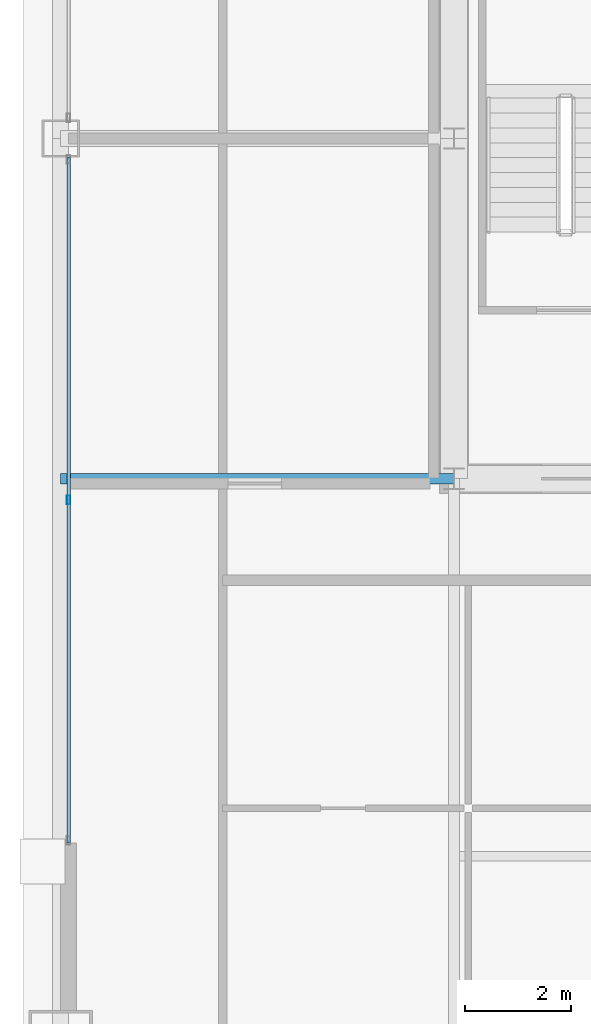
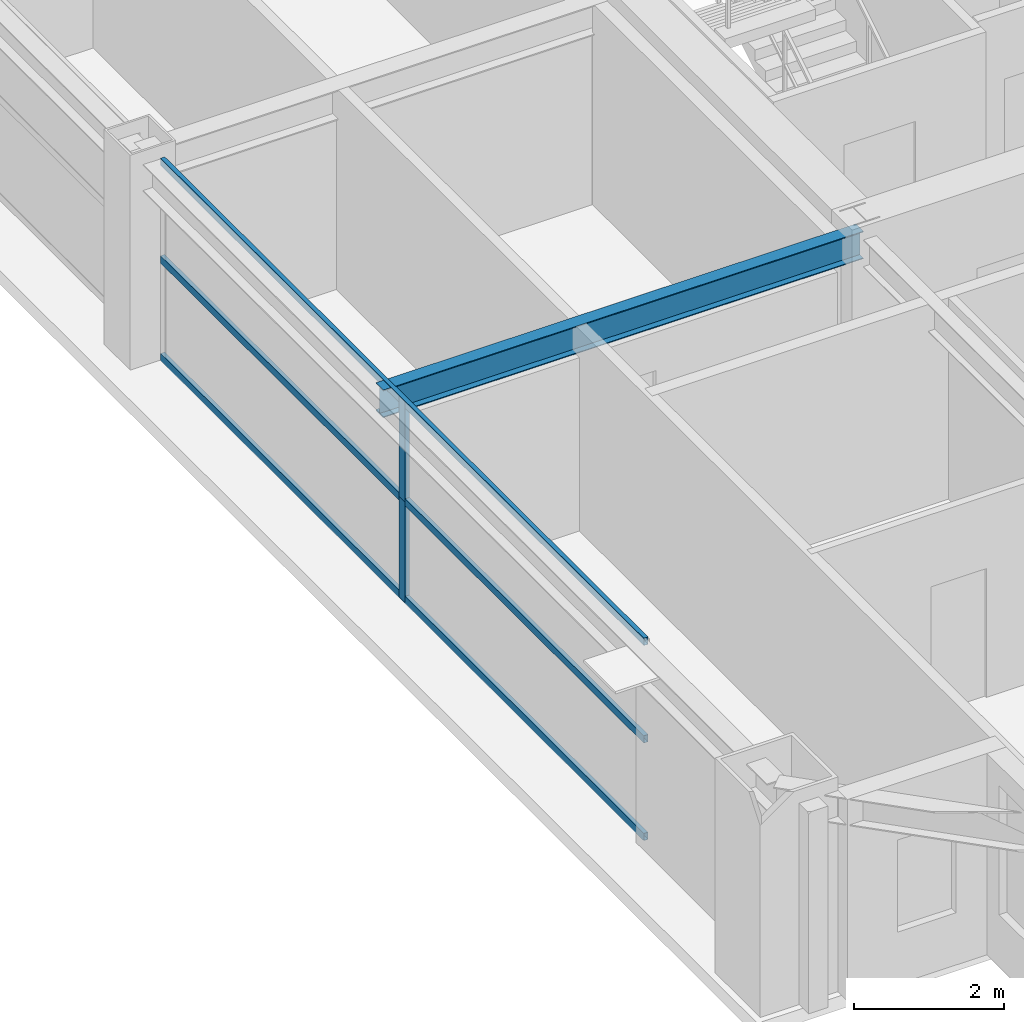
# One storey, part 7 of 36: 5 members, 1 beam, 1 element without a shape of its own.
"""IFC4 building model written with IfcOpenShell, lengths in metres."""

import ifcopenshell
import ifcopenshell.guid

model = None  # the IFC model being written
_history = None  # IfcOwnerHistory: only IFC2X3 demands one
_inside = {}  # id of a spatial element -> (the spatial element, [elements in it])
_under = {}  # id of a project, library or spatial element -> (it, [spatial elements below it])
_declared = {}  # id of a project -> (the project, [libraries it declares])
_typed = {}  # id of a type object -> (the type object, [elements of that type])
_made_of = {}  # id of a material, layer set ... -> (it, [elements and type objects made of it])


def new_model(schema):
    """Start an empty IFC model of exactly this schema.

    Asked for "IFC4X3", IfcOpenShell would pick the latest addendum, in which some entities
    have other attributes; the version numbers below select the first issue.
    IFC2X3 requires an IfcOwnerHistory on every rooted entity: one is made here for all.
    """
    global model, _history
    if schema == "IFC4X3":
        model = ifcopenshell.file(schema_version=(4, 3, 0, 0))
    else:
        model = ifcopenshell.file(schema=schema)
    _inside.clear()
    _under.clear()
    _declared.clear()
    _typed.clear()
    _made_of.clear()
    _history = None
    if model.schema == "IFC2X3":
        org = make("IfcOrganization", Name="unknown")
        user = make(
            "IfcPersonAndOrganization",
            ThePerson=make("IfcPerson", FamilyName="unknown"),
            TheOrganization=org,
        )
        app = make(
            "IfcApplication",
            ApplicationDeveloper=org,
            Version="unknown",
            ApplicationFullName="unknown",
            ApplicationIdentifier="unknown",
        )
        _history = make(
            "IfcOwnerHistory",
            OwningUser=user,
            OwningApplication=app,
            ChangeAction="ADDED",
            CreationDate=0,
        )
    return model


def make(cls, **values):
    """One entity of the class cls with the attributes given. An attribute that is None is left unset."""
    return model.create_entity(
        cls, **{name: value for name, value in values.items() if value is not None}
    )


def rooted(cls, **values):
    """An entity with a GlobalId (a new one), such as an element, a storey or a relation."""
    return make(cls, GlobalId=ifcopenshell.guid.new(), OwnerHistory=_history, **values)


def si_unit(unit_type, name, prefix=None):
    """IfcSIUnit, for example si_unit("LENGTHUNIT", "METRE", prefix="MILLI")."""
    return make("IfcSIUnit", UnitType=unit_type, Prefix=prefix, Name=name)


def assignment(units):
    """IfcUnitAssignment: the units of a project."""
    return None if units is None else make("IfcUnitAssignment", Units=units)


def point(xyz):
    """IfcCartesianPoint."""
    return None if xyz is None else make("IfcCartesianPoint", Coordinates=xyz)


def direction(xyz):
    """IfcDirection."""
    return None if xyz is None else make("IfcDirection", DirectionRatios=xyz)


def frame(location, z_axis=None, x_axis=None):
    """IfcAxis2Placement3D, a coordinate frame: its origin and axes. An axis left out is left unset."""
    return make(
        "IfcAxis2Placement3D",
        Location=point(location),
        Axis=direction(z_axis),
        RefDirection=direction(x_axis),
    )


def frame_2d(location, x_axis=None):
    """IfcAxis2Placement2D, a coordinate frame in the plane: its origin and x axis."""
    return make(
        "IfcAxis2Placement2D", Location=point(location), RefDirection=direction(x_axis)
    )


def origin():
    """The frame at (0, 0, 0) with its axes left unset."""
    return frame((0.0, 0.0, 0.0))


def origin_2d():
    """The frame at (0, 0) in the plane with its x axis left unset."""
    return frame_2d((0.0, 0.0))


def place(relative_to, where):
    """IfcLocalPlacement: puts the frame where relative to a parent placement (None: the world)."""
    return make(
        "IfcLocalPlacement", PlacementRelTo=relative_to, RelativePlacement=where
    )


def context(
    kind, dimensions, precision=None, world=None, true_north=None, identifier=None
):
    """IfcGeometricRepresentationContext, for example the 3D "Model" context."""
    return make(
        "IfcGeometricRepresentationContext",
        ContextIdentifier=identifier,
        ContextType=kind,
        CoordinateSpaceDimension=dimensions,
        Precision=precision,
        WorldCoordinateSystem=world,
        TrueNorth=true_north,
    )


def subcontext(parent, identifier, kind, view, scale=None):
    """IfcGeometricRepresentationSubContext, for example "Body" below "Model"."""
    return make(
        "IfcGeometricRepresentationSubContext",
        ContextIdentifier=identifier,
        ContextType=kind,
        ParentContext=parent,
        TargetScale=scale,
        TargetView=view,
    )


def project(units=None, contexts=None):
    """IfcProject with its units and contexts."""
    return rooted(
        "IfcProject",
        Name="project",
        RepresentationContexts=contexts,
        UnitsInContext=assignment(units),
    )


def spatial(cls, under=None, at=None, **own):
    """A site, building, storey or space (cls), placed at a placement, below another one or the project."""
    s = rooted(cls, ObjectPlacement=at, **own)
    if under is not None:
        _under.setdefault(under.id(), (under, []))[1].append(s)
    return s


def profile(cls, at=None, kind="AREA", **sizes):
    """A parametric profile (cls). Its sizes go by their IFC names, for example OverallWidth=200.0."""
    return make(cls, ProfileType=kind, Position=at, **sizes)


def hollow_rectangle(**sizes):
    """IfcRectangleHollowProfileDef."""
    return profile("IfcRectangleHollowProfileDef", **sizes)


def i_section(**sizes):
    """IfcIShapeProfileDef."""
    return profile("IfcIShapeProfileDef", **sizes)


def extrude(swept, where, along, depth):
    """IfcExtrudedAreaSolid: the profile swept, set in the frame where, extruded along a direction by depth."""
    return make(
        "IfcExtrudedAreaSolid",
        SweptArea=swept,
        Position=where,
        ExtrudedDirection=direction(along),
        Depth=depth,
    )


def shape(context_of_items, identifier, shape_type, items):
    """IfcShapeRepresentation: the items that make up one representation, for example the "Body"."""
    return make(
        "IfcShapeRepresentation",
        ContextOfItems=context_of_items,
        RepresentationIdentifier=identifier,
        RepresentationType=shape_type,
        Items=items,
    )


def source(mapping_origin, context_of_items, identifier, shape_type, items):
    """IfcRepresentationMap: a shape defined once, which mapped items show again and again."""
    return make(
        "IfcRepresentationMap",
        MappingOrigin=mapping_origin,
        MappedRepresentation=shape(context_of_items, identifier, shape_type, items),
    )


def transform(
    local_origin,
    x_axis=None,
    y_axis=None,
    z_axis=None,
    scale=None,
    scale2=None,
    scale3=None,
    uniform=True,
):
    """IfcCartesianTransformationOperator3D, or its non-uniform kind. x_axis, y_axis, z_axis: its Axis1, 2, 3."""
    if uniform:
        return make(
            "IfcCartesianTransformationOperator3D",
            Axis1=direction(x_axis),
            Axis2=direction(y_axis),
            LocalOrigin=point(local_origin),
            Scale=scale,
            Axis3=direction(z_axis),
        )
    return make(
        "IfcCartesianTransformationOperator3DnonUniform",
        Axis1=direction(x_axis),
        Axis2=direction(y_axis),
        LocalOrigin=point(local_origin),
        Scale=scale,
        Axis3=direction(z_axis),
        Scale2=scale2,
        Scale3=scale3,
    )


def mapped(mapping_source, mapping_target):
    """IfcMappedItem: shows the shape of a source again, moved by a transform."""
    return make(
        "IfcMappedItem", MappingSource=mapping_source, MappingTarget=mapping_target
    )


def material(Name=None, Category=None):
    """IfcMaterial."""
    return make("IfcMaterial", Name=Name, Category=Category)


def layer(
    of_material, thickness, ventilated=None, Name=None, Category=None, Priority=None
):
    """IfcMaterialLayer: one layer of a wall or slab, of a material (None: an air gap)."""
    return make(
        "IfcMaterialLayer",
        Material=of_material,
        LayerThickness=thickness,
        IsVentilated=ventilated,
        Name=Name,
        Category=Category,
        Priority=Priority,
    )


def layer_set(layers, Name=None):
    """IfcMaterialLayerSet."""
    return make("IfcMaterialLayerSet", MaterialLayers=layers, LayerSetName=Name)


def material_profile(
    of_material, cross_section, Name=None, Category=None, Priority=None
):
    """IfcMaterialProfile: a cross section and its material."""
    return make(
        "IfcMaterialProfile",
        Name=Name,
        Material=of_material,
        Profile=cross_section,
        Priority=Priority,
        Category=Category,
    )


def profile_set(profiles, Name=None, composite=None):
    """IfcMaterialProfileSet."""
    return make(
        "IfcMaterialProfileSet",
        Name=Name,
        MaterialProfiles=profiles,
        CompositeProfile=composite,
    )


def made_of(thing, what):
    """Note that an element or type object is made of a material, layer set ...; save() writes the relation."""
    if what is not None:
        _made_of.setdefault(what.id(), (what, []))[1].append(thing)
    return thing


def type_object(cls, material=None, **own):
    """A type object (cls), such as IfcWallType, which elements share."""
    return made_of(rooted(cls, **own), material)


def element(
    cls,
    number,
    at=None,
    inside=None,
    cuts=None,
    type_object=None,
    material=None,
    context=None,
    identifier="Body",
    shape_type=None,
    held_by="IfcProductDefinitionShape",
    body=None,
    shapes=None,
    **own,
):
    """One element of the class cls, such as IfcWall. Its Tag is "e" and its number.

    at: its placement. inside: the storey or other place that contains it. cuts: it is an
    opening in that element (IfcRelVoidsElement). A single representation is given by context,
    identifier, shape_type and body (its items); several are given by shapes. held_by: the class
    of the entity that holds the representations. save() writes the other relations.
    """
    e = rooted(cls, Tag="e%d" % number, ObjectPlacement=at, **own)
    if body is not None:
        shapes = [shape(context, identifier, shape_type, body)]
    if shapes is not None:
        e.Representation = make(held_by, Representations=shapes)
    if inside is not None:
        _inside.setdefault(inside.id(), (inside, []))[1].append(e)
    if cuts is not None:
        rooted(
            "IfcRelVoidsElement", RelatingBuildingElement=cuts, RelatedOpeningElement=e
        )
    if type_object is not None:
        _typed.setdefault(type_object.id(), (type_object, []))[1].append(e)
    return made_of(e, material)


def aggregate(whole, parts):
    """IfcRelAggregates: a whole, such as a stair, and the parts it consists of."""
    return rooted("IfcRelAggregates", RelatingObject=whole, RelatedObjects=parts)


def save(model, path):
    """Write the relations noted so far, then the file.

    IfcRelAggregates (storeys below a building ...), IfcRelContainedInSpatialStructure (elements
    in a storey), IfcRelDefinesByType, IfcRelAssociatesMaterial and IfcRelDeclares: one each for
    every whole, place, type object, material and project.
    """
    for whole, parts in _under.values():
        aggregate(whole, parts)
    for where, things in _inside.values():
        rooted(
            "IfcRelContainedInSpatialStructure",
            RelatedElements=things,
            RelatingStructure=where,
        )
    for kind, things in _typed.values():
        rooted("IfcRelDefinesByType", RelatedObjects=things, RelatingType=kind)
    for what, things in _made_of.values():
        rooted("IfcRelAssociatesMaterial", RelatedObjects=things, RelatingMaterial=what)
    for by, libraries in _declared.values():
        rooted("IfcRelDeclares", RelatingContext=by, RelatedDefinitions=libraries)
    model.write(path)


model = new_model("IFC4")

# Units and contexts
model_context = context("Model", 3, precision=1e-05, world=origin(), true_north=direction((0.0, 1.0)))
body_context = subcontext(model_context, "Body", "Model", "MODEL_VIEW")
ifc_project = project(units=[si_unit("LENGTHUNIT", "METRE"), si_unit("AREAUNIT", "SQUARE_METRE"), si_unit("VOLUMEUNIT", "CUBIC_METRE"), si_unit("PLANEANGLEUNIT", "RADIAN"), si_unit("MASSUNIT", "GRAM", prefix="KILO"), si_unit("THERMODYNAMICTEMPERATUREUNIT", "KELVIN"), si_unit("POWERUNIT", "WATT")], contexts=[model_context])

# Site, building, storey
site_placement = place(None, origin())
site = spatial("IfcSite", under=ifc_project, at=site_placement, CompositionType="ELEMENT")
building_placement = place(site_placement, origin())
building = spatial("IfcBuilding", under=site, at=building_placement, Name="Yuzanri Waterfront Tower", CompositionType="ELEMENT")
storey_placement = place(building_placement, frame((0.0, 0.0, 224.10009765625)))
storey = spatial("IfcBuildingStorey", under=building, at=storey_placement, Name="L59", CompositionType="ELEMENT", Elevation=224.10009765625)

# Beam
ifc_material_1 = material(Name="Steel Q355B", Category="steel")
ifc_material_profile_1 = material_profile(ifc_material_1, i_section(OverallWidth=0.199951171875, OverallDepth=0.449951171875, WebThickness=0.009033203125, FlangeThickness=0.013916015625, at=origin_2d()), Name="HN 450x200x9x14")
ifc_profile_set_1 = profile_set([ifc_material_profile_1], Name="Steel Q355B")
beam_type = type_object("IfcBeamType", Name="Secondary Floor Beam Q355B HN 450x200", PredefinedType="BEAM", material=ifc_profile_set_1)
shared_shape_1 = source(origin(), body_context, "Body", "SweptSolid", [
    extrude(i_section(OverallWidth=0.199951171875, OverallDepth=0.449951171875, WebThickness=0.009033203125, FlangeThickness=0.013916015625, at=origin_2d()), origin(), (0.0, 0.0, 1.0), 7.400146484375),
])
beam_placement = place(storey_placement, frame((23.800048828125, 19.39990234375, 3.054931640625), z_axis=(-1.0, 0.0, 0.0), x_axis=(0.0, -1.0, 0.0)))
element("IfcBeam", 1, at=beam_placement, inside=storey, type_object=beam_type, Name="L59 West-South Core Line Beam", PredefinedType="BEAM", context=body_context, shape_type="MappedRepresentation", body=[
    mapped(shared_shape_1, transform((0.0, 0.0, 0.0), scale=1.0)),
])

# Curtain wall, members
ifc_material_2 = material(Name="Anodized Architectural Bronze", Category="metal")
ifc_layer = layer(ifc_material_2, 0.159912109375)
ifc_layer_set = layer_set([ifc_layer], Name="Anodized Architectural Bronze")
curtain_wall_type = type_object("IfcCurtainWallType", Name="Anodized Bronze Mid-Rise Residential Acoustic Unitized Curtain Wall 7200", PredefinedType="NOTDEFINED", material=ifc_layer_set)
curtain_wall_placement = place(storey_placement, origin())
curtain_wall = element("IfcCurtainWall", 2, at=curtain_wall_placement, inside=storey, type_object=curtain_wall_type, Name="L59 Curtain Wall CW-L59-WL", PredefinedType="NOTDEFINED")
ifc_material_3 = material(Name="Anodized Architectural Bronze", Category="metal")
ifc_material_profile_2 = material_profile(ifc_material_3, hollow_rectangle(XDim=0.06494140625, YDim=0.159912109375, WallThickness=0.00341796875, at=origin_2d()), Name="CWM 65x160")
ifc_profile_set_2 = profile_set([ifc_material_profile_2], Name="Anodized Architectural Bronze")
member_type_1 = type_object("IfcMemberType", Name="Anodized Bronze Upper-Zone Curtain-Wall Mullion 65x160", PredefinedType="MULLION", material=ifc_profile_set_2)
shared_shape_2 = source(origin(), body_context, "Body", "SweptSolid", [
    extrude(hollow_rectangle(XDim=0.06494140625, YDim=0.159912109375, WallThickness=0.00341796875, at=origin_2d()), origin(), (0.0, 0.0, 1.0), 1.637939453125),
])
member_1_placement = place(storey_placement, frame((16.550048828125, 19.0, 0.0), z_axis=(0.0, 0.0, 1.0), x_axis=(1.0, 0.0, 0.0)))
member_1 = element("IfcMember", 3, at=member_1_placement, type_object=member_type_1, Name="CW-L59-WL Lower Mullion 01", PredefinedType="MULLION", context=body_context, shape_type="MappedRepresentation", body=[
    mapped(shared_shape_2, transform((0.0, 0.0, 0.0), scale=1.0)),
])
member_2_placement = place(storey_placement, frame((16.550048828125, 19.0, 1.641845703125), z_axis=(0.0, 0.0, 1.0), x_axis=(1.0, 0.0, 0.0)))
member_2 = element("IfcMember", 4, at=member_2_placement, type_object=member_type_1, Name="CW-L59-WL Upper Mullion 01", PredefinedType="MULLION", context=body_context, shape_type="MappedRepresentation", body=[
    mapped(shared_shape_2, transform((0.0, 0.0, 0.0), scale=1.0)),
])
ifc_material_4 = material(Name="Anodized Architectural Bronze", Category="metal")
ifc_material_profile_3 = material_profile(ifc_material_4, hollow_rectangle(XDim=0.06494140625, YDim=0.1201171875, WallThickness=0.00341796875, at=origin_2d()), Name="CWT 65x120")
ifc_profile_set_3 = profile_set([ifc_material_profile_3], Name="Anodized Architectural Bronze")
member_type_2 = type_object("IfcMemberType", Name="Anodized Bronze Secondary Curtain-Wall Transom 65x120", PredefinedType="USERDEFINED", material=ifc_profile_set_3)
shared_shape_3 = source(origin(), body_context, "Body", "SweptSolid", [
    extrude(hollow_rectangle(XDim=0.06494140625, YDim=0.1201171875, WallThickness=0.00341796875, at=origin_2d()), origin(), (0.0, 0.0, 1.0), 12.89990234375),
])
member_3_placement = place(storey_placement, frame((16.550048828125, 12.550048828125, 0.0498046875), z_axis=(0.0, 1.0, 0.0), x_axis=(-1.0, 0.0, 0.0)))
member_3 = element("IfcMember", 5, at=member_3_placement, type_object=member_type_2, Name="CW-L59-WL Transom 1", ObjectType="TRANSOM", PredefinedType="USERDEFINED", context=body_context, shape_type="MappedRepresentation", body=[
    mapped(shared_shape_3, transform((0.0, 0.0, 0.0), scale=1.0)),
])
member_4_placement = place(storey_placement, frame((16.550048828125, 12.550048828125, 1.639892578125), z_axis=(0.0, 1.0, 0.0), x_axis=(-1.0, 0.0, 0.0)))
member_4 = element("IfcMember", 6, at=member_4_placement, type_object=member_type_2, Name="CW-L59-WL Transom 2", ObjectType="TRANSOM", PredefinedType="USERDEFINED", context=body_context, shape_type="MappedRepresentation", body=[
    mapped(shared_shape_3, transform((0.0, 0.0, 0.0), scale=1.0)),
])
member_5_placement = place(storey_placement, frame((16.550048828125, 12.550048828125, 3.22998046875), z_axis=(0.0, 1.0, 0.0), x_axis=(-1.0, 0.0, 0.0)))
member_5 = element("IfcMember", 7, at=member_5_placement, type_object=member_type_2, Name="CW-L59-WL Transom 3", ObjectType="TRANSOM", PredefinedType="USERDEFINED", context=body_context, shape_type="MappedRepresentation", body=[
    mapped(shared_shape_3, transform((0.0, 0.0, 0.0), scale=1.0)),
])
aggregate(curtain_wall, [member_1, member_2, member_3, member_4, member_5])

save(model, "model.ifc")
